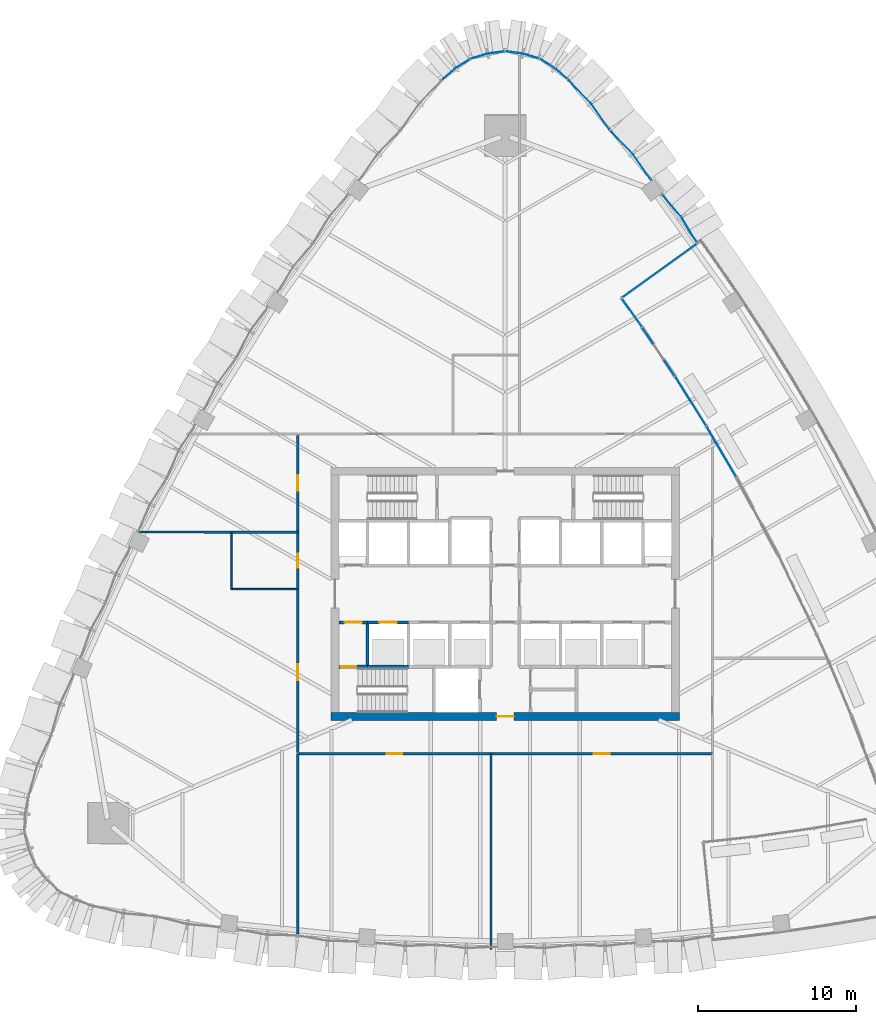
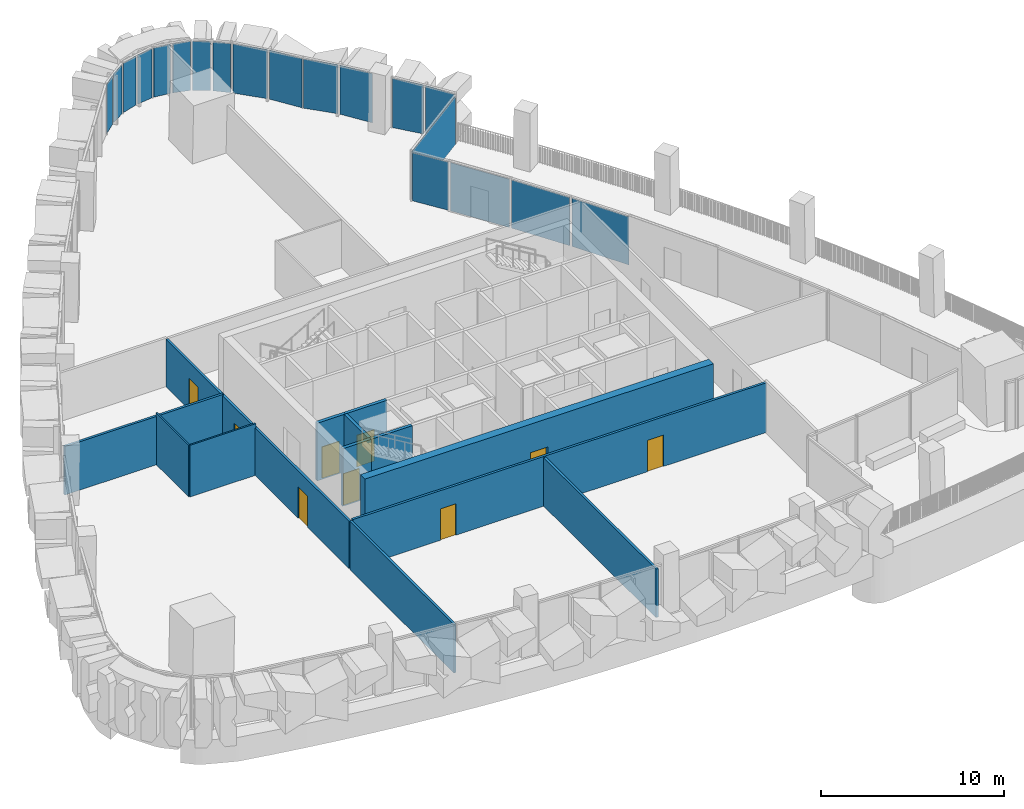
# One storey, part 12 of 20: 19 plates, 13 walls, 9 doors, 9 openings, 11 elements without a shape of their own.
"""IFC4 building model written with IfcOpenShell, lengths in metres."""

from ifc_helpers import new_model, si_unit, direction, frame, frame_2d, origin, origin_2d, place, context, subcontext, project, spatial, polyline, rectangle, outline, extrude, material, layer, layer_set, type_object, element, fill, aggregate, save


model = new_model("IFC4")

# Units and contexts
model_context = context("Model", 3, precision=1e-05, world=origin(), true_north=direction((0.0, 1.0)))
body_context = subcontext(model_context, "Body", "Model", "MODEL_VIEW")
ifc_project = project(units=[si_unit("LENGTHUNIT", "METRE"), si_unit("AREAUNIT", "SQUARE_METRE"), si_unit("VOLUMEUNIT", "CUBIC_METRE"), si_unit("PLANEANGLEUNIT", "RADIAN"), si_unit("MASSUNIT", "GRAM", prefix="KILO")], contexts=[model_context])

# Site, building, storey
site_placement = place(None, origin())
site = spatial("IfcSite", under=ifc_project, at=site_placement, CompositionType="ELEMENT")
building_placement = place(site_placement, origin())
building = spatial("IfcBuilding", under=site, at=building_placement, Name="Sierra Prisma Convention Tower", CompositionType="ELEMENT")
storey_placement = place(building_placement, frame((0.0, 0.0, 125.800048828125)))
storey = spatial("IfcBuildingStorey", under=building, at=storey_placement, Name="L26", CompositionType="ELEMENT", Elevation=125.800048828125)

# Curtain wall, plates
ifc_material_1 = material(Name="Aluminium and glass curtain wall", Category="aluminium")
ifc_layer_1 = layer(ifc_material_1, 0.179931640625)
ifc_layer_set_1 = layer_set([ifc_layer_1], Name="CW-2 Faceted crystal curtain wall")
curtain_wall_type_1 = type_object("IfcCurtainWallType", Name="CW-2 Faceted crystal curtain wall", PredefinedType="NOTDEFINED", material=ifc_layer_set_1)
curtain_wall_1_placement = place(storey_placement, origin())
curtain_wall_1 = element("IfcCurtainWall", 1, at=curtain_wall_1_placement, inside=storey, type_object=curtain_wall_type_1, Name="CW-2 NE5b L26", PredefinedType="NOTDEFINED")
ifc_material_2 = material(Name="Tinted glass bronze-grey IGU", Category="glass")
ifc_layer_2 = layer(ifc_material_2, 0.028076171875)
ifc_layer_set_2 = layer_set([ifc_layer_2], Name="CW-2 crystal pane")
plate_type_1 = type_object("IfcPlateType", Name="CW-2 crystal pane", PredefinedType="CURTAIN_PANEL", material=ifc_layer_set_2)
plate_1_placement = place(storey_placement, frame((12.1123046875, 22.217529296875, 0.0), z_axis=(0.854926858037, 0.518748558945, 0.0), x_axis=(-0.518748558945, 0.854926858037, 0.0)))
plate_1 = element("IfcPlate", 2, at=plate_1_placement, type_object=plate_type_1, Name="CW-2 pane NE5b.1.1", PredefinedType="CURTAIN_PANEL", context=body_context, shape_type="SweptSolid", body=[
    extrude(outline(polyline([(0.0, 0.0), (1.8039394991830942, 0.0), (1.8039394991830942, 3.280029296875001), (0.0, 3.280029296875001), (0.0, 0.0)])), origin(), (0.0, 0.0, -1.0), 0.028076171875),
])
plate_2_placement = place(storey_placement, frame((9.935302734375, 25.241943359375, 0.0), z_axis=(0.763273341354, 0.646075697096, 0.0), x_axis=(0.646075697096, -0.763273341354, 0.0)))
plate_2 = element("IfcPlate", 3, at=plate_2_placement, type_object=plate_type_1, Name="CW-2 pane NE5b.1.2", PredefinedType="CURTAIN_PANEL", context=body_context, shape_type="SweptSolid", body=[
    extrude(outline(polyline([(0.0, 0.0), (1.8040105037045093, 0.0), (1.8040105037045093, -3.280029296875001), (0.0, -3.280029296875001), (0.0, 0.0)])), origin(), (0.0, 0.0, -1.0), 0.028076171875),
])
aggregate(curtain_wall_1, [plate_1, plate_2])

curtain_wall_2_placement = place(storey_placement, origin())
curtain_wall_2 = element("IfcCurtainWall", 4, at=curtain_wall_2_placement, inside=storey, type_object=curtain_wall_type_1, Name="CW-2 NE6 L26", PredefinedType="NOTDEFINED")
plate_3_placement = place(storey_placement, frame((9.2138671875, 26.178955078125, 0.0), z_axis=(0.818375585794, 0.574683739613, 0.0), x_axis=(-0.574683739613, 0.818375585794, 0.0)))
plate_3 = element("IfcPlate", 5, at=plate_3_placement, type_object=plate_type_1, Name="CW-2 pane NE6.1.1", PredefinedType="CURTAIN_PANEL", context=body_context, shape_type="SweptSolid", body=[
    extrude(outline(polyline([(0.0, 0.0), (1.9575984536425586, 0.0), (1.9575984536425586, 3.280029296875), (0.0, 3.280029296875), (0.0, 0.0)])), origin(), (0.0, 0.0, -1.0), 0.028076171875),
])
plate_4_placement = place(storey_placement, frame((6.64453125, 29.287353515625, 0.0), z_axis=(0.718425213053, 0.695604207326, 0.0), x_axis=(0.695604207326, -0.718425213053, 0.0)))
plate_4 = element("IfcPlate", 6, at=plate_4_placement, type_object=plate_type_1, Name="CW-2 pane NE6.1.2", PredefinedType="CURTAIN_PANEL", context=body_context, shape_type="SweptSolid", body=[
    extrude(outline(polyline([(0.0, 0.0), (1.9577460744295014, 0.0), (1.9577460744295014, -3.280029296875), (0.0, -3.280029296875), (0.0, 0.0)])), origin(), (0.0, 0.0, -1.0), 0.028076171875),
])
plate_5_placement = place(storey_placement, frame((6.60009765625, 29.34130859375, 0.0), z_axis=(0.818375585794, 0.574683739613, 0.0), x_axis=(-0.574683739613, 0.818375585794, 0.0)))
plate_5 = element("IfcPlate", 7, at=plate_5_placement, type_object=plate_type_1, Name="CW-2 pane NE6.2.1", PredefinedType="CURTAIN_PANEL", context=body_context, shape_type="SweptSolid", body=[
    extrude(outline(polyline([(0.0, 0.0), (1.9575984536425586, 0.0), (1.9575984536425586, 3.280029296875), (0.0, 3.280029296875), (0.0, 0.0)])), origin(), (0.0, 0.0, -1.0), 0.028076171875),
])
plate_6_placement = place(storey_placement, frame((4.030517578125, 32.44970703125, 0.0), z_axis=(0.718425213053, 0.695604207326, 0.0), x_axis=(0.695604207326, -0.718425213053, 0.0)))
plate_6 = element("IfcPlate", 8, at=plate_6_placement, type_object=plate_type_1, Name="CW-2 pane NE6.2.2", PredefinedType="CURTAIN_PANEL", context=body_context, shape_type="SweptSolid", body=[
    extrude(outline(polyline([(0.0, 0.0), (1.9577460744295014, 0.0), (1.9577460744295014, -3.280029296875), (0.0, -3.280029296875), (0.0, 0.0)])), origin(), (0.0, 0.0, -1.0), 0.028076171875),
])
aggregate(curtain_wall_2, [plate_3, plate_4, plate_5, plate_6])

curtain_wall_3_placement = place(storey_placement, origin())
curtain_wall_3 = element("IfcCurtainWall", 9, at=curtain_wall_3_placement, inside=storey, type_object=curtain_wall_type_1, Name="CW-2 N1 L26", PredefinedType="NOTDEFINED")
plate_7_placement = place(storey_placement, frame((3.9296875, 32.545166015625, 0.0), z_axis=(0.654534612383, 0.756032037147, 0.0), x_axis=(-0.756032037147, 0.654534612383, 0.0)))
plate_7 = element("IfcPlate", 10, at=plate_7_placement, type_object=plate_type_1, Name="CW-2 pane N1.1.1", PredefinedType="CURTAIN_PANEL", context=body_context, shape_type="SweptSolid", body=[
    extrude(outline(polyline([(0.0, 0.0), (0.9862088272918886, 0.0), (0.9862088272918886, 3.280029296875), (0.0, 3.280029296875), (0.0, 0.0)])), origin(), (0.0, 0.0, -1.0), 0.028076171875),
])
plate_8_placement = place(storey_placement, frame((2.242431640625, 33.788330078125, 0.0), z_axis=(0.52819477314, 0.849123242897, 0.0), x_axis=(0.849123242897, -0.52819477314, 0.0)))
plate_8 = element("IfcPlate", 11, at=plate_8_placement, type_object=plate_type_1, Name="CW-2 pane N1.1.2", PredefinedType="CURTAIN_PANEL", context=body_context, shape_type="SweptSolid", body=[
    extrude(outline(polyline([(0.0, 0.0), (0.9859089479982323, 0.0), (0.9859089479982323, -3.280029296875), (0.0, -3.280029296875), (0.0, 0.0)])), origin(), (0.0, 0.0, -1.0), 0.028076171875),
])
aggregate(curtain_wall_3, [plate_7, plate_8])

curtain_wall_4_placement = place(storey_placement, origin())
curtain_wall_4 = element("IfcCurtainWall", 12, at=curtain_wall_4_placement, inside=storey, type_object=curtain_wall_type_1, Name="CW-2 N2 L26", PredefinedType="NOTDEFINED")
plate_9_placement = place(storey_placement, frame((2.117431640625, 33.844482421875, 0.0), z_axis=(0.286211957883, 0.958166329592, 0.0), x_axis=(-0.958166329592, 0.286211957883, 0.0)))
plate_9 = element("IfcPlate", 13, at=plate_9_placement, type_object=plate_type_1, Name="CW-2 pane N2.1.1", PredefinedType="CURTAIN_PANEL", context=body_context, shape_type="SweptSolid", body=[
    extrude(outline(polyline([(0.0, 0.0), (0.9860753708095109, 0.0), (0.9860753708095109, 3.280029296875), (0.0, 3.280029296875), (0.0, 0.0)])), origin(), (0.0, 0.0, -1.0), 0.028076171875),
])
plate_10_placement = place(storey_placement, frame((0.068359375, 34.284912109375, 0.0), z_axis=(0.132682567529, 0.991158582808, 0.0), x_axis=(0.991158582808, -0.132682567529, 0.0)))
plate_10 = element("IfcPlate", 14, at=plate_10_placement, type_object=plate_type_1, Name="CW-2 pane N2.1.2", PredefinedType="CURTAIN_PANEL", context=body_context, shape_type="SweptSolid", body=[
    extrude(outline(polyline([(0.0, 0.0), (0.9862589896871763, 0.0), (0.9862589896871763, -3.280029296875), (0.0, -3.280029296875), (0.0, 0.0)])), origin(), (0.0, 0.0, -1.0), 0.028076171875),
])
aggregate(curtain_wall_4, [plate_9, plate_10])

curtain_wall_5_placement = place(storey_placement, origin())
curtain_wall_5 = element("IfcCurtainWall", 15, at=curtain_wall_5_placement, inside=storey, type_object=curtain_wall_type_1, Name="CW-2 N3 L26", PredefinedType="NOTDEFINED")
plate_11_placement = place(storey_placement, frame((-0.068359375, 34.284912109375, 0.0), z_axis=(-0.132682567529, 0.991158582808, 0.0), x_axis=(-0.991158582808, -0.132682567529, 0.0)))
plate_11 = element("IfcPlate", 16, at=plate_11_placement, type_object=plate_type_1, Name="CW-2 pane N3.1.1", PredefinedType="CURTAIN_PANEL", context=body_context, shape_type="SweptSolid", body=[
    extrude(outline(polyline([(0.0, 0.0), (0.9862589896871763, 0.0), (0.9862589896871763, 3.280029296875), (0.0, 3.280029296875), (0.0, 0.0)])), origin(), (0.0, 0.0, -1.0), 0.028076171875),
])
plate_12_placement = place(storey_placement, frame((-2.117431640625, 33.844482421875, 0.0), z_axis=(-0.286211957883, 0.958166329592, 0.0), x_axis=(0.958166329592, 0.286211957883, 0.0)))
plate_12 = element("IfcPlate", 17, at=plate_12_placement, type_object=plate_type_1, Name="CW-2 pane N3.1.2", PredefinedType="CURTAIN_PANEL", context=body_context, shape_type="SweptSolid", body=[
    extrude(outline(polyline([(0.0, 0.0), (0.9860753708095109, 0.0), (0.9860753708095109, -3.280029296875), (0.0, -3.280029296875), (0.0, 0.0)])), origin(), (0.0, 0.0, -1.0), 0.028076171875),
])
aggregate(curtain_wall_5, [plate_11, plate_12])

curtain_wall_6_placement = place(storey_placement, origin())
curtain_wall_6 = element("IfcCurtainWall", 18, at=curtain_wall_6_placement, inside=storey, type_object=curtain_wall_type_1, Name="CW-2 N4 L26", PredefinedType="NOTDEFINED")
plate_13_placement = place(storey_placement, frame((-2.242431640625, 33.788330078125, 0.0), z_axis=(-0.52819477314, 0.849123242897, 0.0), x_axis=(-0.849123242897, -0.52819477314, 0.0)))
plate_13 = element("IfcPlate", 19, at=plate_13_placement, type_object=plate_type_1, Name="CW-2 pane N4.1.1", PredefinedType="CURTAIN_PANEL", context=body_context, shape_type="SweptSolid", body=[
    extrude(outline(polyline([(0.0, 0.0), (0.9859089479982323, 0.0), (0.9859089479982323, 3.280029296875), (0.0, 3.280029296875), (0.0, 0.0)])), origin(), (0.0, 0.0, -1.0), 0.028076171875),
])
plate_14_placement = place(storey_placement, frame((-3.9296875, 32.545166015625, 0.0), z_axis=(-0.654534612383, 0.756032037147, 0.0), x_axis=(0.756032037147, 0.654534612383, 0.0)))
plate_14 = element("IfcPlate", 20, at=plate_14_placement, type_object=plate_type_1, Name="CW-2 pane N4.1.2", PredefinedType="CURTAIN_PANEL", context=body_context, shape_type="SweptSolid", body=[
    extrude(outline(polyline([(0.0, 0.0), (0.9862088272918886, 0.0), (0.9862088272918886, -3.280029296875), (0.0, -3.280029296875), (0.0, 0.0)])), origin(), (0.0, 0.0, -1.0), 0.028076171875),
])
aggregate(curtain_wall_6, [plate_13, plate_14])

# Curtain wall, plate
ifc_material_3 = material(Name="Aluminium and glass curtain wall", Category="aluminium")
ifc_layer_3 = layer(ifc_material_3, 0.179931640625)
ifc_layer_set_3 = layer_set([ifc_layer_3], Name="CW-6 Terrace recess curtain wall")
curtain_wall_type_2 = type_object("IfcCurtainWallType", Name="CW-6 Terrace recess curtain wall", PredefinedType="NOTDEFINED", material=ifc_layer_set_3)
curtain_wall_7_placement = place(storey_placement, origin())
curtain_wall_7 = element("IfcCurtainWall", 21, at=curtain_wall_7_placement, inside=storey, type_object=curtain_wall_type_2, Name="CW-6 R33 L26", PredefinedType="NOTDEFINED")
ifc_material_4 = material(Name="Tinted glass bronze-grey IGU", Category="glass")
ifc_layer_4 = layer(ifc_material_4, 0.028076171875)
ifc_layer_set_4 = layer_set([ifc_layer_4], Name="CW-6 glass panel")
plate_type_2 = type_object("IfcPlateType", Name="CW-6 glass panel", PredefinedType="CURTAIN_PANEL", material=ifc_layer_set_4)
plate_15_placement = place(storey_placement, frame((13.666748046875, 8.965087890625, 0.0), z_axis=(0.0, 0.0, 1.0), x_axis=(-0.506419476507, 0.862287257133, 0.0)))
plate_15 = element("IfcPlate", 22, at=plate_15_placement, type_object=plate_type_2, Name="CW-6 panel R33.1", PredefinedType="CURTAIN_PANEL", context=body_context, shape_type="SweptSolid", body=[
    extrude(rectangle(XDim=3.58251953125, YDim=0.028076171875, at=origin_2d()), origin(), (0.0, 0.0, 1.0), 3.219970703125),
])
aggregate(curtain_wall_7, [plate_15])

curtain_wall_8_placement = place(storey_placement, origin())
curtain_wall_8 = element("IfcCurtainWall", 23, at=curtain_wall_8_placement, inside=storey, type_object=curtain_wall_type_2, Name="CW-6 R34 L26", PredefinedType="NOTDEFINED")
plate_16_placement = place(storey_placement, frame((11.734130859375, 12.146240234375, 0.0), z_axis=(0.0, 0.0, 1.0), x_axis=(-0.531814403686, 0.846860933113, 0.0)))
plate_16 = element("IfcPlate", 24, at=plate_16_placement, type_object=plate_type_2, Name="CW-6 panel R34.1", PredefinedType="CURTAIN_PANEL", context=body_context, shape_type="SweptSolid", body=[
    extrude(rectangle(XDim=3.58251953125, YDim=0.028076171875, at=origin_2d()), origin(), (0.0, 0.0, 1.0), 3.219970703125),
])
aggregate(curtain_wall_8, [plate_16])

curtain_wall_9_placement = place(storey_placement, origin())
curtain_wall_9 = element("IfcCurtainWall", 25, at=curtain_wall_9_placement, inside=storey, type_object=curtain_wall_type_2, Name="CW-6 R35 L26", PredefinedType="NOTDEFINED")
plate_17_placement = place(storey_placement, frame((9.7080078125, 15.268798828125, 0.0), z_axis=(0.0, 0.0, 1.0), x_axis=(-0.556739805861, 0.830686937763, 0.0)))
plate_17 = element("IfcPlate", 26, at=plate_17_placement, type_object=plate_type_2, Name="CW-6 panel R35.1", PredefinedType="CURTAIN_PANEL", context=body_context, shape_type="SweptSolid", body=[
    extrude(rectangle(XDim=3.58251953125, YDim=0.028076171875, at=origin_2d()), origin(), (0.0, 0.0, 1.0), 3.219970703125),
])
aggregate(curtain_wall_9, [plate_17])

curtain_wall_10_placement = place(storey_placement, origin())
curtain_wall_10 = element("IfcCurtainWall", 27, at=curtain_wall_10_placement, inside=storey, type_object=curtain_wall_type_2, Name="CW-6 R36 L26", PredefinedType="NOTDEFINED")
plate_18_placement = place(storey_placement, frame((8.0048828125, 17.7548828125, 0.0), z_axis=(0.0, 0.0, 1.0), x_axis=(-0.578616804674, 0.815599530007, 0.0)))
plate_18 = element("IfcPlate", 28, at=plate_18_placement, type_object=plate_type_2, Name="CW-6 panel R36.1", PredefinedType="CURTAIN_PANEL", context=body_context, shape_type="SweptSolid", body=[
    extrude(rectangle(XDim=2.1650390625, YDim=0.028076171875, at=origin_2d()), origin(), (0.0, 0.0, 1.0), 3.219970703125),
])
aggregate(curtain_wall_10, [plate_18])

curtain_wall_11_placement = place(storey_placement, origin())
curtain_wall_11 = element("IfcCurtainWall", 29, at=curtain_wall_11_placement, inside=storey, type_object=curtain_wall_type_2, Name="CW-6 RT2 L26", PredefinedType="NOTDEFINED")
plate_19_placement = place(storey_placement, frame((9.74560546875, 20.427734375, 0.0), z_axis=(0.0, 0.0, 1.0), x_axis=(0.811615297169, 0.584192270918, 0.0)))
plate_19 = element("IfcPlate", 30, at=plate_19_placement, type_object=plate_type_2, Name="CW-6 panel RT2.1", PredefinedType="CURTAIN_PANEL", context=body_context, shape_type="SweptSolid", body=[
    extrude(rectangle(XDim=5.792724609375, YDim=0.028076171875, at=origin_2d()), origin(), (0.0, 0.0, 1.0), 3.219970703125),
])
aggregate(curtain_wall_11, [plate_19])

# Walls
ifc_material_5 = material(Name="Gypsum board partition", Category="gypsum")
ifc_layer_5 = layer(ifc_material_5, 0.10009765625)
ifc_layer_set_5 = layer_set([ifc_layer_5], Name="Bathroom partition 100")
wall_type_1 = type_object("IfcWallType", Name="Bathroom partition 100", PredefinedType="PARTITIONING", material=ifc_layer_set_5)
wall_1_placement = place(storey_placement, frame((-13.1298828125, 0.300048828125, 0.0), z_axis=(0.0, 0.0, 1.0), x_axis=(-1.0, 0.0, 0.0)))
element("IfcWall", 31, at=wall_1_placement, inside=storey, type_object=wall_type_1, Name="Partition L26 bath 1", PredefinedType="PARTITIONING", context=body_context, shape_type="SweptSolid", body=[
    extrude(rectangle(XDim=4.170166015625, YDim=0.10009765625, at=frame_2d((2.0849609375, 0.0))), origin(), (0.0, 0.0, 1.0), 3.449951171875),
])
wall_2_placement = place(storey_placement, frame((-17.300048828125, 0.300048828125, 0.0), z_axis=(0.0, 0.0, 1.0), x_axis=(0.0, 1.0, 0.0)))
element("IfcWall", 32, at=wall_2_placement, inside=storey, type_object=wall_type_1, Name="Partition L26 bath 2", PredefinedType="PARTITIONING", context=body_context, shape_type="SweptSolid", body=[
    extrude(rectangle(XDim=3.570068359375, YDim=0.10009765625, at=frame_2d((1.78515625, 0.0))), origin(), (0.0, 0.0, 1.0), 3.449951171875),
])

# Wall, opening, door
ifc_material_6 = material(Name="Concrete C30/37", Category="concrete")
ifc_layer_6 = layer(ifc_material_6, 0.199951171875)
ifc_layer_set_6 = layer_set([ifc_layer_6], Name="Core wall RC 200 C30/37")
wall_type_2 = type_object("IfcWallType", Name="Core wall RC 200 C30/37", PredefinedType="SOLIDWALL", material=ifc_layer_set_6)
wall_3_placement = place(storey_placement, frame((-10.5, -4.60009765625, 0.0), z_axis=(0.0, 0.0, 1.0), x_axis=(1.0, 0.0, 0.0)))
wall_3 = element("IfcWall", 33, at=wall_3_placement, inside=storey, type_object=wall_type_2, Name="Core wall L26 1", PredefinedType="SOLIDWALL", context=body_context, shape_type="SweptSolid", body=[
    extrude(rectangle(XDim=1.800048828125, YDim=0.199951171875, at=frame_2d((0.89990234375, 0.0))), origin(), (0.0, 0.0, 1.0), 3.849853515625),
])
opening_1_placement = place(wall_3_placement, frame((0.10009765625, 0.0, 0.0)))
opening_1 = element("IfcOpeningElement", 34, at=opening_1_placement, cuts=wall_3, Name="Opening L26-D020", PredefinedType="OPENING", context=body_context, shape_type="SweptSolid", body=[
    extrude(rectangle(XDim=1.0, YDim=2.10009765625, at=frame_2d((0.5, 1.050048828125))), frame((0.0, 0.10009765625, 0.0), z_axis=(0.0, -1.0, 0.0), x_axis=(1.0, 0.0, 0.0)), (0.0, 0.0, 1.0), 0.199951171875),
])
ifc_material_7 = material(Name="Steel fire door leaf", Category="steel")
door_type_1 = type_object("IfcDoorType", Name="Door 1000x2100 FD90S", OperationType="SINGLE_SWING_LEFT", PredefinedType="DOOR", material=ifc_material_7)
door_1_placement = place(opening_1_placement, origin())
door_1 = element("IfcDoor", 35, at=door_1_placement, inside=storey, type_object=door_type_1, Name="Door L26 27", OperationType="SINGLE_SWING_LEFT", OverallHeight=2.10009765625, OverallWidth=1.0, PredefinedType="DOOR", context=body_context, shape_type="SweptSolid", body=[
    extrude(rectangle(XDim=1.0, YDim=2.10009765625, at=frame_2d((0.5, 1.050048828125))), frame((0.0, 0.02490234375, 0.0), z_axis=(0.0, -1.0, 0.0), x_axis=(1.0, 0.0, 0.0)), (0.0, 0.0, 1.0), 0.050048828125),
])
fill(opening_1, door_1)

wall_4_placement = place(storey_placement, frame((-10.5, -1.800048828125, 0.0), z_axis=(0.0, 0.0, 1.0), x_axis=(1.0, 0.0, 0.0)))
wall_4 = element("IfcWall", 36, at=wall_4_placement, inside=storey, type_object=wall_type_2, Name="Core wall L26 2", PredefinedType="SOLIDWALL", context=body_context, shape_type="SweptSolid", body=[
    extrude(rectangle(XDim=1.800048828125, YDim=0.199951171875, at=frame_2d((0.89990234375, 0.0))), origin(), (0.0, 0.0, 1.0), 3.849853515625),
])
opening_2_placement = place(wall_4_placement, frame((0.35009765625, 0.0, 0.0)))
opening_2 = element("IfcOpeningElement", 37, at=opening_2_placement, cuts=wall_4, Name="Opening L26-D015", PredefinedType="OPENING", context=body_context, shape_type="SweptSolid", body=[
    extrude(rectangle(XDim=1.10009765625, YDim=2.10009765625, at=frame_2d((0.550048828125, 1.050048828125))), frame((0.0, 0.10009765625, 0.0), z_axis=(0.0, -1.0, 0.0), x_axis=(1.0, 0.0, 0.0)), (0.0, 0.0, 1.0), 0.199951171875),
])
ifc_material_8 = material(Name="Steel fire door leaf", Category="steel")
door_type_2 = type_object("IfcDoorType", Name="Door 1100x2100 FD90S", OperationType="SINGLE_SWING_LEFT", PredefinedType="DOOR", material=ifc_material_8)
door_2_placement = place(opening_2_placement, origin())
door_2 = element("IfcDoor", 38, at=door_2_placement, inside=storey, type_object=door_type_2, Name="Door L26 22", OperationType="SINGLE_SWING_RIGHT", OverallHeight=2.10009765625, OverallWidth=1.10009765625, PredefinedType="DOOR", context=body_context, shape_type="SweptSolid", body=[
    extrude(rectangle(XDim=1.10009765625, YDim=2.10009765625, at=frame_2d((0.550048828125, 1.050048828125))), frame((0.0, 0.02490234375, 0.0), z_axis=(0.0, -1.0, 0.0), x_axis=(1.0, 0.0, 0.0)), (0.0, 0.0, 1.0), 0.050048828125),
])
fill(opening_2, door_2)

# Walls
wall_5_placement = place(storey_placement, frame((-8.699951171875, -4.60009765625, 0.0), z_axis=(0.0, 0.0, 1.0), x_axis=(1.0, 0.0, 0.0)))
element("IfcWall", 39, at=wall_5_placement, inside=storey, type_object=wall_type_2, Name="Core wall L26 5", PredefinedType="SOLIDWALL", context=body_context, shape_type="SweptSolid", body=[
    extrude(rectangle(XDim=2.599853515625, YDim=0.199951171875, at=frame_2d((1.2998046875, 0.0))), origin(), (0.0, 0.0, 1.0), 3.849853515625),
])
wall_6_placement = place(storey_placement, frame((-8.699951171875, -4.60009765625, 0.0), z_axis=(0.0, 0.0, 1.0), x_axis=(0.0, 1.0, 0.0)))
element("IfcWall", 40, at=wall_6_placement, inside=storey, type_object=wall_type_2, Name="Core wall L26 6", PredefinedType="SOLIDWALL", context=body_context, shape_type="SweptSolid", body=[
    extrude(rectangle(XDim=2.800048828125, YDim=0.199951171875, at=frame_2d((1.39990234375, 0.0))), origin(), (0.0, 0.0, 1.0), 3.849853515625),
])

# Wall, opening, door
wall_7_placement = place(storey_placement, frame((-8.699951171875, -1.800048828125, 0.0), z_axis=(0.0, 0.0, 1.0), x_axis=(1.0, 0.0, 0.0)))
wall_7 = element("IfcWall", 41, at=wall_7_placement, inside=storey, type_object=wall_type_2, Name="Core wall L26 7", PredefinedType="SOLIDWALL", context=body_context, shape_type="SweptSolid", body=[
    extrude(rectangle(XDim=2.599853515625, YDim=0.199951171875, at=frame_2d((1.2998046875, 0.0))), origin(), (0.0, 0.0, 1.0), 3.849853515625),
])
opening_3_placement = place(wall_7_placement, frame((0.75, 0.0, 0.0)))
opening_3 = element("IfcOpeningElement", 42, at=opening_3_placement, cuts=wall_7, Name="Opening L26-D004", PredefinedType="OPENING", context=body_context, shape_type="SweptSolid", body=[
    extrude(rectangle(XDim=1.10009765625, YDim=2.10009765625, at=frame_2d((0.550048828125, 1.050048828125))), frame((0.0, 0.10009765625, 0.0), z_axis=(0.0, -1.0, 0.0), x_axis=(1.0, 0.0, 0.0)), (0.0, 0.0, 1.0), 0.199951171875),
])
ifc_material_9 = material(Name="Steel fire door leaf", Category="steel")
door_type_3 = type_object("IfcDoorType", Name="Door 1100x2100 EI 90 sliding lift landing", OperationType="SLIDING_TO_LEFT", PredefinedType="DOOR", material=ifc_material_9)
door_3_placement = place(opening_3_placement, origin())
door_3 = element("IfcDoor", 43, at=door_3_placement, inside=storey, type_object=door_type_3, Name="Door L26 11", OperationType="SLIDING_TO_RIGHT", OverallHeight=2.10009765625, OverallWidth=1.10009765625, PredefinedType="DOOR", context=body_context, shape_type="SweptSolid", body=[
    extrude(rectangle(XDim=1.10009765625, YDim=2.10009765625, at=frame_2d((0.550048828125, 1.050048828125))), frame((0.0, 0.02490234375, 0.0), z_axis=(0.0, -1.0, 0.0), x_axis=(1.0, 0.0, 0.0)), (0.0, 0.0, 1.0), 0.050048828125),
])
fill(opening_3, door_3)

ifc_material_10 = material(Name="Concrete C60/75", Category="concrete")
ifc_layer_7 = layer(ifc_material_10, 0.5)
ifc_layer_set_7 = layer_set([ifc_layer_7], Name="Core wall RC 500 C60/75")
wall_type_3 = type_object("IfcWallType", Name="Core wall RC 500 C60/75", PredefinedType="SHEAR", material=ifc_layer_set_7)
wall_8_placement = place(storey_placement, frame((-11.0, -7.75, 0.0), z_axis=(0.0, 0.0, 1.0), x_axis=(1.0, 0.0, 0.0)))
wall_8 = element("IfcWall", 44, at=wall_8_placement, inside=storey, type_object=wall_type_3, Name="Core wall S L26", PredefinedType="SHEAR", context=body_context, shape_type="SweptSolid", body=[
    extrude(rectangle(XDim=22.0, YDim=0.5, at=frame_2d((11.0, 0.0))), origin(), (0.0, 0.0, 1.0), 4.0),
])
opening_4_placement = place(wall_8_placement, frame((10.449951171875, 0.0, 0.0)))
opening_4 = element("IfcOpeningElement", 45, at=opening_4_placement, cuts=wall_8, Name="Opening L26-D039", PredefinedType="OPENING", context=body_context, shape_type="SweptSolid", body=[
    extrude(rectangle(XDim=1.10009765625, YDim=2.10009765625, at=frame_2d((0.550048828125, 1.050048828125))), frame((0.0, 0.25, 0.0), z_axis=(0.0, -1.0, 0.0), x_axis=(1.0, 0.0, 0.0)), (0.0, 0.0, 1.0), 0.5),
])
ifc_material_11 = material(Name="Steel fire door leaf", Category="steel")
door_type_4 = type_object("IfcDoorType", Name="Door 1100x2100 FD30S", OperationType="SINGLE_SWING_LEFT", PredefinedType="DOOR", material=ifc_material_11)
door_4_placement = place(opening_4_placement, origin())
door_4 = element("IfcDoor", 46, at=door_4_placement, inside=storey, type_object=door_type_4, Name="Door L26 37", OperationType="SINGLE_SWING_RIGHT", OverallHeight=2.10009765625, OverallWidth=1.10009765625, PredefinedType="DOOR", context=body_context, shape_type="SweptSolid", body=[
    extrude(rectangle(XDim=1.10009765625, YDim=2.10009765625, at=frame_2d((0.550048828125, 1.050048828125))), frame((0.0, 0.02490234375, 0.0), z_axis=(0.0, -1.0, 0.0), x_axis=(1.0, 0.0, 0.0)), (0.0, 0.0, 1.0), 0.050048828125),
])
fill(opening_4, door_4)

# Wall, openings, doors
ifc_material_12 = material(Name="Gypsum board partition", Category="gypsum")
ifc_layer_8 = layer(ifc_material_12, 0.14990234375)
ifc_layer_set_8 = layer_set([ifc_layer_8], Name="Corridor wall 150 gypsum EI 60")
wall_type_4 = type_object("IfcWallType", Name="Corridor wall 150 gypsum EI 60", PredefinedType="PARTITIONING", material=ifc_layer_set_8)
wall_9_placement = place(storey_placement, frame((-13.10009765625, 10.02001953125, 0.0), z_axis=(0.0, 0.0, 1.0), x_axis=(0.0, -1.0, 0.0)))
wall_9 = element("IfcWall", 47, at=wall_9_placement, inside=storey, type_object=wall_type_4, Name="Partition L26 corr 1", PredefinedType="PARTITIONING", context=body_context, shape_type="SweptSolid", body=[
    extrude(rectangle(XDim=20.0400390625, YDim=0.14990234375, at=frame_2d((10.02001953125, 0.0))), origin(), (0.0, 0.0, 1.0), 3.166015625),
])
opening_5_placement = place(wall_9_placement, frame((2.52001953125, 0.0, 0.0)))
opening_5 = element("IfcOpeningElement", 48, at=opening_5_placement, cuts=wall_9, Name="Opening L26-D031", PredefinedType="OPENING", context=body_context, shape_type="SweptSolid", body=[
    extrude(rectangle(XDim=1.0, YDim=2.10009765625, at=frame_2d((0.5, 1.050048828125))), frame((0.0, 0.074951171875, 0.0), z_axis=(0.0, -1.0, 0.0), x_axis=(1.0, 0.0, 0.0)), (0.0, 0.0, 1.0), 0.14990234375),
])
opening_6_placement = place(wall_9_placement, frame((7.469970703125, 0.0, 0.0)))
opening_6 = element("IfcOpeningElement", 49, at=opening_6_placement, cuts=wall_9, Name="Opening L26-D032", PredefinedType="OPENING", context=body_context, shape_type="SweptSolid", body=[
    extrude(rectangle(XDim=0.89990234375, YDim=2.10009765625, at=frame_2d((0.449951171875, 1.050048828125))), frame((0.0, 0.074951171875, 0.0), z_axis=(0.0, -1.0, 0.0), x_axis=(1.0, 0.0, 0.0)), (0.0, 0.0, 1.0), 0.14990234375),
])
opening_7_placement = place(wall_9_placement, frame((14.47998046875, 0.0, 0.0)))
opening_7 = element("IfcOpeningElement", 50, at=opening_7_placement, cuts=wall_9, Name="Opening L26-D033", PredefinedType="OPENING", context=body_context, shape_type="SweptSolid", body=[
    extrude(rectangle(XDim=1.0, YDim=2.10009765625, at=frame_2d((0.5, 1.050048828125))), frame((0.0, 0.074951171875, 0.0), z_axis=(0.0, -1.0, 0.0), x_axis=(1.0, 0.0, 0.0)), (0.0, 0.0, 1.0), 0.14990234375),
])
ifc_material_13 = material(Name="Steel fire door leaf", Category="steel")
door_type_5 = type_object("IfcDoorType", Name="Door 1000x2100 FD30S", OperationType="SINGLE_SWING_LEFT", PredefinedType="DOOR", material=ifc_material_13)
door_5_placement = place(opening_5_placement, origin())
door_5 = element("IfcDoor", 51, at=door_5_placement, inside=storey, type_object=door_type_5, Name="Door L26 5", OperationType="SINGLE_SWING_LEFT", OverallHeight=2.10009765625, OverallWidth=1.0, PredefinedType="DOOR", context=body_context, shape_type="SweptSolid", body=[
    extrude(rectangle(XDim=1.0, YDim=2.10009765625, at=frame_2d((0.5, 1.050048828125))), frame((0.0, 0.02490234375, 0.0), z_axis=(0.0, -1.0, 0.0), x_axis=(1.0, 0.0, 0.0)), (0.0, 0.0, 1.0), 0.050048828125),
])
fill(opening_5, door_5)
door_6_placement = place(opening_7_placement, origin())
door_6 = element("IfcDoor", 52, at=door_6_placement, inside=storey, type_object=door_type_5, Name="Door L26 7", OperationType="SINGLE_SWING_RIGHT", OverallHeight=2.10009765625, OverallWidth=1.0, PredefinedType="DOOR", context=body_context, shape_type="SweptSolid", body=[
    extrude(rectangle(XDim=1.0, YDim=2.10009765625, at=frame_2d((0.5, 1.050048828125))), frame((0.0, 0.02490234375, 0.0), z_axis=(0.0, -1.0, 0.0), x_axis=(1.0, 0.0, 0.0)), (0.0, 0.0, 1.0), 0.050048828125),
])
fill(opening_7, door_6)
ifc_material_14 = material(Name="Steel fire door leaf", Category="steel")
door_type_6 = type_object("IfcDoorType", Name="Door 900x2100 FD30S", OperationType="SINGLE_SWING_LEFT", PredefinedType="DOOR", material=ifc_material_14)
door_7_placement = place(opening_6_placement, origin())
door_7 = element("IfcDoor", 53, at=door_7_placement, inside=storey, type_object=door_type_6, Name="Door L26 6", OperationType="SINGLE_SWING_LEFT", OverallHeight=2.10009765625, OverallWidth=0.89990234375, PredefinedType="DOOR", context=body_context, shape_type="SweptSolid", body=[
    extrude(rectangle(XDim=0.89990234375, YDim=2.10009765625, at=frame_2d((0.449951171875, 1.050048828125))), frame((0.0, 0.02490234375, 0.0), z_axis=(0.0, -1.0, 0.0), x_axis=(1.0, 0.0, 0.0)), (0.0, 0.0, 1.0), 0.050048828125),
])
fill(opening_6, door_7)

wall_10_placement = place(storey_placement, frame((-13.02001953125, -10.10009765625, 0.0), z_axis=(0.0, 0.0, 1.0), x_axis=(1.0, 0.0, 0.0)))
wall_10 = element("IfcWall", 54, at=wall_10_placement, inside=storey, type_object=wall_type_4, Name="Partition L26 corr 2", PredefinedType="PARTITIONING", context=body_context, shape_type="SweptSolid", body=[
    extrude(rectangle(XDim=26.1201171875, YDim=0.14990234375, at=frame_2d((13.06005859375, 0.0))), origin(), (0.0, 0.0, 1.0), 3.31689453125),
])
opening_8_placement = place(wall_10_placement, frame((5.52001953125, 0.0, 0.0)))
opening_8 = element("IfcOpeningElement", 55, at=opening_8_placement, cuts=wall_10, Name="Opening L26-D034", PredefinedType="OPENING", context=body_context, shape_type="SweptSolid", body=[
    extrude(rectangle(XDim=1.0, YDim=2.10009765625, at=frame_2d((0.5, 1.050048828125))), frame((0.0, 0.074951171875, 0.0), z_axis=(0.0, -1.0, 0.0), x_axis=(1.0, 0.0, 0.0)), (0.0, 0.0, 1.0), 0.14990234375),
])
opening_9_placement = place(wall_10_placement, frame((18.6201171875, 0.0, 0.0)))
opening_9 = element("IfcOpeningElement", 56, at=opening_9_placement, cuts=wall_10, Name="Opening L26-D035", PredefinedType="OPENING", context=body_context, shape_type="SweptSolid", body=[
    extrude(rectangle(XDim=1.0, YDim=2.10009765625, at=frame_2d((0.5, 1.050048828125))), frame((0.0, 0.074951171875, 0.0), z_axis=(0.0, -1.0, 0.0), x_axis=(1.0, 0.0, 0.0)), (0.0, 0.0, 1.0), 0.14990234375),
])
door_8_placement = place(opening_8_placement, origin())
door_8 = element("IfcDoor", 57, at=door_8_placement, inside=storey, type_object=door_type_5, Name="Door L26 8", OperationType="SINGLE_SWING_RIGHT", OverallHeight=2.10009765625, OverallWidth=1.0, PredefinedType="DOOR", context=body_context, shape_type="SweptSolid", body=[
    extrude(rectangle(XDim=1.0, YDim=2.10009765625, at=frame_2d((0.5, 1.050048828125))), frame((0.0, 0.02490234375, 0.0), z_axis=(0.0, -1.0, 0.0), x_axis=(1.0, 0.0, 0.0)), (0.0, 0.0, 1.0), 0.050048828125),
])
fill(opening_8, door_8)
door_9_placement = place(opening_9_placement, origin())
door_9 = element("IfcDoor", 58, at=door_9_placement, inside=storey, type_object=door_type_5, Name="Door L26 9", OperationType="SINGLE_SWING_RIGHT", OverallHeight=2.10009765625, OverallWidth=1.0, PredefinedType="DOOR", context=body_context, shape_type="SweptSolid", body=[
    extrude(rectangle(XDim=1.0, YDim=2.10009765625, at=frame_2d((0.5, 1.050048828125))), frame((0.0, 0.02490234375, 0.0), z_axis=(0.0, -1.0, 0.0), x_axis=(1.0, 0.0, 0.0)), (0.0, 0.0, 1.0), 0.050048828125),
])
fill(opening_9, door_9)

# Walls
ifc_material_15 = material(Name="Gypsum board partition", Category="gypsum")
ifc_layer_9 = layer(ifc_material_15, 0.14990234375)
ifc_layer_set_9 = layer_set([ifc_layer_9], Name="Party wall 150 gypsum")
wall_type_5 = type_object("IfcWallType", Name="Party wall 150 gypsum", PredefinedType="PARTITIONING", material=ifc_layer_set_9)
wall_11_placement = place(storey_placement, frame((-13.10009765625, 3.89990234375, 0.0), z_axis=(0.0, 0.0, 1.0), x_axis=(-0.99999961506, 0.000877427823, 0.0)))
element("IfcWall", 59, at=wall_11_placement, inside=storey, type_object=wall_type_5, Name="Partition L26 party 1", PredefinedType="PARTITIONING", context=body_context, shape_type="SweptSolid", body=[
    extrude(rectangle(XDim=10.016845703125, YDim=0.14990234375, at=frame_2d((5.00830078125, 0.0))), origin(), (0.0, 0.0, 1.0), 3.23388671875),
])
wall_12_placement = place(storey_placement, frame((-13.10009765625, -10.10009765625, 0.0), z_axis=(0.0, 0.0, 1.0), x_axis=(-0.001241543696, -0.999999229284, 0.0)))
element("IfcWall", 60, at=wall_12_placement, inside=storey, type_object=wall_type_5, Name="Partition L26 party 3", PredefinedType="PARTITIONING", context=body_context, shape_type="SweptSolid", body=[
    extrude(rectangle(XDim=11.4052734375, YDim=0.14990234375, at=frame_2d((5.70263671875, 0.0))), origin(), (0.0, 0.0, 1.0), 3.23388671875),
])
wall_13_placement = place(storey_placement, frame((-0.89990234375, -10.10009765625, 0.0), z_axis=(0.0, 0.0, 1.0), x_axis=(0.0, -1.0, 0.0)))
element("IfcWall", 61, at=wall_13_placement, inside=storey, type_object=wall_type_5, Name="Partition L26 party 4", PredefinedType="PARTITIONING", context=body_context, shape_type="SweptSolid", body=[
    extrude(rectangle(XDim=12.362060546875, YDim=0.14990234375, at=frame_2d((6.18115234375, 0.0))), origin(), (0.0, 0.0, 1.0), 3.23388671875),
])

save(model, "model.ifc")
